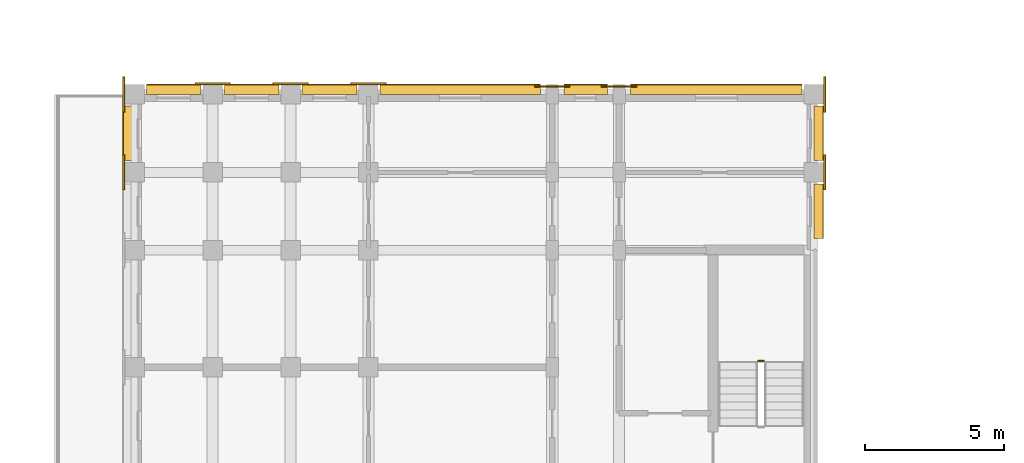
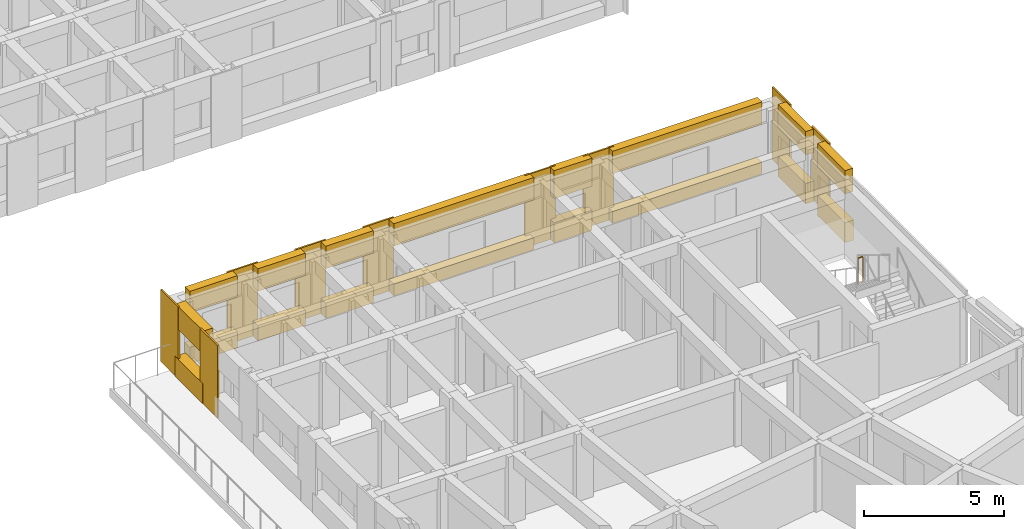
# One storey, part 44 of 57: 27 coverings, 1 railing.
"""IFC4 building model written with IfcOpenShell, lengths in metres."""

from ifc_helpers import new_model, si_unit, direction, frame, origin, origin_2d, place, context, subcontext, project, spatial, polyline, circle, outline, extrude, material, layer, layer_set, type_object, element, save


model = new_model("IFC4")

# Units and contexts
model_context = context("Model", 3, precision=1e-05, world=origin(), true_north=direction((0.0, 1.0)))
body_context = subcontext(model_context, "Body", "Model", "MODEL_VIEW")
ifc_project = project(units=[si_unit("LENGTHUNIT", "METRE"), si_unit("AREAUNIT", "SQUARE_METRE"), si_unit("VOLUMEUNIT", "CUBIC_METRE"), si_unit("PLANEANGLEUNIT", "RADIAN"), si_unit("MASSUNIT", "GRAM", prefix="KILO")], contexts=[model_context])

# Site, building, storey
site_placement = place(None, origin())
site = spatial("IfcSite", under=ifc_project, at=site_placement, CompositionType="ELEMENT")
building_placement = place(site_placement, origin())
building = spatial("IfcBuilding", under=site, at=building_placement, Name="Kiranvali Square Residences", CompositionType="ELEMENT")
storey_placement = place(building_placement, frame((0.0, 0.0, 21.300048828125)))
storey = spatial("IfcBuildingStorey", under=building, at=storey_placement, Name="L06", CompositionType="ELEMENT", Elevation=21.300048828125)

# Coverings
ifc_material_1 = material(Name="Honed Porbandar limestone ashlar facade cladding", Category="masonry")
ifc_layer_1 = layer(ifc_material_1, 0.06494140625)
ifc_layer_set_1 = layer_set([ifc_layer_1], Name="Honed Porbandar limestone ashlar facade cladding")
covering_type_1 = type_object("IfcCoveringType", Name="COV-CLAD-PIER", PredefinedType="CLADDING", material=ifc_layer_set_1)
covering_1_placement = place(storey_placement, frame((0.0, 0.0, 0.0048828125)))
element("IfcCovering", 1, at=covering_1_placement, inside=storey, type_object=covering_type_1, Name="L06 Classical limestone pilaster casing CLAD-PR-C-L06-V112", PredefinedType="CLADDING", context=body_context, shape_type="SweptSolid", body=[
    extrude(outline(polyline([(4.6494140625, 58.77001953125), (4.6494140625, 60.030029296875), (4.58203125, 60.030029296875), (4.58203125, 58.77001953125), (4.6494140625, 58.77001953125)])), origin(), (0.0, 0.0, 1.0), 3.14013671875),
])
covering_2_placement = place(storey_placement, frame((0.0, 0.0, 0.0048828125)))
element("IfcCovering", 2, at=covering_2_placement, inside=storey, type_object=covering_type_1, Name="L06 Classical limestone pilaster casing CLAD-PR-C-L06-V140", PredefinedType="CLADDING", context=body_context, shape_type="SweptSolid", body=[
    extrude(outline(polyline([(4.6494140625, 61.570068359375), (4.6494140625, 62.830078125), (4.58203125, 62.830078125), (4.58203125, 61.570068359375), (4.6494140625, 61.570068359375)])), origin(), (0.0, 0.0, 1.0), 3.14013671875),
])
ifc_layer_2 = layer(ifc_material_1, 0.050048828125)
ifc_layer_set_2 = layer_set([ifc_layer_2], Name="Honed Porbandar limestone ashlar facade cladding")
covering_type_2 = type_object("IfcCoveringType", Name="COV-CLAD-PIER-IN", PredefinedType="CLADDING", material=ifc_layer_set_2)
covering_3_placement = place(storey_placement, frame((0.0, 0.0, 0.0048828125)))
element("IfcCovering", 3, at=covering_3_placement, inside=storey, type_object=covering_type_2, Name="L06 Classical limestone pilaster casing CLAD-PRA2I-C-L06-V112", PredefinedType="CLADDING", context=body_context, shape_type="SweptSolid", body=[
    extrude(outline(polyline([(29.818115234375, 58.77001953125), (29.818115234375, 60.030029296875), (29.75048828125, 60.030029296875), (29.75048828125, 58.77001953125), (29.818115234375, 58.77001953125)])), origin(), (0.0, 0.0, 1.0), 3.14013671875),
])
covering_4_placement = place(storey_placement, frame((0.0, 0.0, 0.0048828125)))
element("IfcCovering", 4, at=covering_4_placement, inside=storey, type_object=covering_type_2, Name="L06 Classical limestone pilaster casing CLAD-PRA2I-C-L06-V140", PredefinedType="CLADDING", context=body_context, shape_type="SweptSolid", body=[
    extrude(outline(polyline([(29.818115234375, 61.570068359375), (29.818115234375, 62.830078125), (29.75048828125, 62.830078125), (29.75048828125, 61.570068359375), (29.818115234375, 61.570068359375)])), origin(), (0.0, 0.0, 1.0), 3.14013671875),
])
ifc_layer_3 = layer(ifc_material_1, 0.054931640625)
ifc_layer_set_3 = layer_set([ifc_layer_3], Name="Honed Porbandar limestone ashlar facade cladding")
covering_type_3 = type_object("IfcCoveringType", Name="COV-CLAD-PIER-UP", PredefinedType="CLADDING", material=ifc_layer_set_3)
covering_5_placement = place(storey_placement, frame((0.0, 0.0, 0.0048828125)))
element("IfcCovering", 5, at=covering_5_placement, inside=storey, type_object=covering_type_3, Name="L06 Classical limestone pilaster casing CLAD-PRA2E-C-L06-R258", PredefinedType="CLADDING", context=body_context, shape_type="SweptSolid", body=[
    extrude(outline(polyline([(23.030029296875, 62.51806640625), (21.77001953125, 62.51806640625), (21.77001953125, 62.450439453125), (23.030029296875, 62.450439453125), (23.030029296875, 62.51806640625)])), origin(), (0.0, 0.0, 1.0), 3.14013671875),
])
covering_6_placement = place(storey_placement, frame((0.0, 0.0, 0.0048828125)))
element("IfcCovering", 6, at=covering_6_placement, inside=storey, type_object=covering_type_3, Name="L06 Classical limestone pilaster casing CLAD-PRA2E-C-L06-R282", PredefinedType="CLADDING", context=body_context, shape_type="SweptSolid", body=[
    extrude(outline(polyline([(20.6298828125, 62.51806640625), (19.3701171875, 62.51806640625), (19.3701171875, 62.450439453125), (20.6298828125, 62.450439453125), (20.6298828125, 62.51806640625)])), origin(), (0.0, 0.0, 1.0), 3.14013671875),
])
covering_7_placement = place(storey_placement, frame((0.0, 0.0, 0.0048828125)))
element("IfcCovering", 7, at=covering_7_placement, inside=storey, type_object=covering_type_3, Name="L06 Classical limestone pilaster casing CLAD-PRA2E-C-L06-R348", PredefinedType="CLADDING", context=body_context, shape_type="SweptSolid", body=[
    extrude(outline(polyline([(14.030029296875, 62.617919921875), (12.77001953125, 62.617919921875), (12.77001953125, 62.550537109375), (14.030029296875, 62.550537109375), (14.030029296875, 62.617919921875)])), origin(), (0.0, 0.0, 1.0), 3.14013671875),
])
covering_8_placement = place(storey_placement, frame((0.0, 0.0, 0.0048828125)))
element("IfcCovering", 8, at=covering_8_placement, inside=storey, type_object=covering_type_3, Name="L06 Classical limestone pilaster casing CLAD-PRA2E-C-L06-R376", PredefinedType="CLADDING", context=body_context, shape_type="SweptSolid", body=[
    extrude(outline(polyline([(11.22998046875, 62.617919921875), (9.969970703125, 62.617919921875), (9.969970703125, 62.550537109375), (11.22998046875, 62.550537109375), (11.22998046875, 62.617919921875)])), origin(), (0.0, 0.0, 1.0), 3.14013671875),
])
covering_9_placement = place(storey_placement, frame((0.0, 0.0, 0.0048828125)))
element("IfcCovering", 9, at=covering_9_placement, inside=storey, type_object=covering_type_3, Name="L06 Classical limestone pilaster casing CLAD-PRA2E-C-L06-R404", PredefinedType="CLADDING", context=body_context, shape_type="SweptSolid", body=[
    extrude(outline(polyline([(8.429931640625, 62.617919921875), (7.169921875, 62.617919921875), (7.169921875, 62.550537109375), (8.429931640625, 62.550537109375), (8.429931640625, 62.617919921875)])), origin(), (0.0, 0.0, 1.0), 3.14013671875),
])
ifc_layer_4 = layer(ifc_material_1, 0.360107421875)
ifc_layer_set_4 = layer_set([ifc_layer_4], Name="Honed Porbandar limestone ashlar facade cladding")
covering_type_4 = type_object("IfcCoveringType", Name="COV-CLAD-WALL", PredefinedType="CLADDING", material=ifc_layer_set_4)
covering_10_placement = place(storey_placement, frame((0.0, 0.0, 2.1298828125)))
element("IfcCovering", 10, at=covering_10_placement, inside=storey, type_object=covering_type_4, Name="L06 light limestone spandrel lintel C-L06-A2O-3", PredefinedType="CLADDING", context=body_context, shape_type="SweptSolid", body=[
    extrude(outline(polyline([(4.99951171875, 59.820068359375), (4.99951171875, 61.780029296875), (4.60009765625, 61.780029296875), (4.60009765625, 59.820068359375), (4.99951171875, 59.820068359375)])), origin(), (0.0, 0.0, 1.0), 1.01513671875),
])
covering_11_placement = place(storey_placement, frame((0.0, 0.0, 0.0048828125)))
element("IfcCovering", 11, at=covering_11_placement, inside=storey, type_object=covering_type_4, Name="L06 limestone window sill apron C-L06-A2O-3", PredefinedType="CLADDING", context=body_context, shape_type="SweptSolid", body=[
    extrude(outline(polyline([(4.99951171875, 59.820068359375), (4.99951171875, 61.780029296875), (4.570068359375, 61.780029296875), (4.570068359375, 59.820068359375), (4.99951171875, 59.820068359375)])), origin(), (0.0, 0.0, 1.0), 0.875),
])
covering_12_placement = place(storey_placement, frame((0.0, 0.0, 2.1298828125)))
element("IfcCovering", 12, at=covering_12_placement, inside=storey, type_object=covering_type_4, Name="L06 light limestone spandrel lintel C-L06-A2I-0", PredefinedType="CLADDING", context=body_context, shape_type="SweptSolid", body=[
    extrude(outline(polyline([(29.719970703125, 57.02001953125), (29.719970703125, 58.97998046875), (29.400390625, 58.97998046875), (29.400390625, 57.02001953125), (29.719970703125, 57.02001953125)])), origin(), (0.0, 0.0, 1.0), 1.01513671875),
])
covering_13_placement = place(storey_placement, frame((0.0, 0.0, 0.0048828125)))
element("IfcCovering", 13, at=covering_13_placement, inside=storey, type_object=covering_type_4, Name="L06 limestone window sill apron C-L06-A2I-0", PredefinedType="CLADDING", context=body_context, shape_type="SweptSolid", body=[
    extrude(outline(polyline([(29.75, 57.02001953125), (29.75, 58.97998046875), (29.400390625, 58.97998046875), (29.400390625, 57.02001953125), (29.75, 57.02001953125)])), origin(), (0.0, 0.0, 1.0), 0.875),
])
covering_14_placement = place(storey_placement, frame((0.0, 0.0, 2.1298828125)))
element("IfcCovering", 14, at=covering_14_placement, inside=storey, type_object=covering_type_4, Name="L06 light limestone spandrel lintel C-L06-A2I-1", PredefinedType="CLADDING", context=body_context, shape_type="SweptSolid", body=[
    extrude(outline(polyline([(29.719970703125, 59.820068359375), (29.719970703125, 61.780029296875), (29.400390625, 61.780029296875), (29.400390625, 59.820068359375), (29.719970703125, 59.820068359375)])), origin(), (0.0, 0.0, 1.0), 1.01513671875),
])
covering_15_placement = place(storey_placement, frame((0.0, 0.0, 0.0048828125)))
element("IfcCovering", 15, at=covering_15_placement, inside=storey, type_object=covering_type_4, Name="L06 limestone window sill apron C-L06-A2I-1", PredefinedType="CLADDING", context=body_context, shape_type="SweptSolid", body=[
    extrude(outline(polyline([(29.75, 59.820068359375), (29.75, 61.780029296875), (29.400390625, 61.780029296875), (29.400390625, 59.820068359375), (29.75, 59.820068359375)])), origin(), (0.0, 0.0, 1.0), 0.875),
])
covering_16_placement = place(storey_placement, frame((0.0, 0.0, 2.171875)))
element("IfcCovering", 16, at=covering_16_placement, inside=storey, type_object=covering_type_4, Name="L06 light limestone spandrel lintel C-L06-A2END-0", PredefinedType="CLADDING", context=body_context, shape_type="SweptSolid", body=[
    extrude(outline(polyline([(28.97998046875, 62.5400390625), (22.820068359375, 62.5400390625), (22.820068359375, 62.200439453125), (28.97998046875, 62.200439453125), (28.97998046875, 62.5400390625)])), origin(), (0.0, 0.0, 1.0), 0.97314453125),
])
covering_17_placement = place(storey_placement, frame((0.0, 0.0, 0.0048828125)))
element("IfcCovering", 17, at=covering_17_placement, inside=storey, type_object=covering_type_4, Name="L06 limestone window sill apron C-L06-A2END-0", PredefinedType="CLADDING", context=body_context, shape_type="SweptSolid", body=[
    extrude(outline(polyline([(28.97998046875, 62.570068359375), (22.820068359375, 62.570068359375), (22.820068359375, 62.200439453125), (28.97998046875, 62.200439453125), (28.97998046875, 62.570068359375)])), origin(), (0.0, 0.0, 1.0), 0.51708984375),
])
covering_18_placement = place(storey_placement, frame((0.0, 0.0, 1.929931640625)))
element("IfcCovering", 18, at=covering_18_placement, inside=storey, type_object=covering_type_4, Name="L06 light limestone spandrel lintel C-L06-A2END-1", PredefinedType="CLADDING", context=body_context, shape_type="SweptSolid", body=[
    extrude(outline(polyline([(21.97998046875, 62.5400390625), (20.419921875, 62.5400390625), (20.419921875, 62.200439453125), (21.97998046875, 62.200439453125), (21.97998046875, 62.5400390625)])), origin(), (0.0, 0.0, 1.0), 1.215087890625),
])
covering_19_placement = place(storey_placement, frame((0.0, 0.0, 0.0048828125)))
element("IfcCovering", 19, at=covering_19_placement, inside=storey, type_object=covering_type_4, Name="L06 limestone window sill apron C-L06-A2END-1", PredefinedType="CLADDING", context=body_context, shape_type="SweptSolid", body=[
    extrude(outline(polyline([(21.97998046875, 62.570068359375), (20.419921875, 62.570068359375), (20.419921875, 62.200439453125), (21.97998046875, 62.200439453125), (21.97998046875, 62.570068359375)])), origin(), (0.0, 0.0, 1.0), 0.875),
])
covering_20_placement = place(storey_placement, frame((0.0, 0.0, 2.171875)))
element("IfcCovering", 20, at=covering_20_placement, inside=storey, type_object=covering_type_4, Name="L06 light limestone spandrel lintel C-L06-A2END-2", PredefinedType="CLADDING", context=body_context, shape_type="SweptSolid", body=[
    extrude(outline(polyline([(19.580078125, 62.5400390625), (13.820068359375, 62.5400390625), (13.820068359375, 62.200439453125), (19.580078125, 62.200439453125), (19.580078125, 62.5400390625)])), origin(), (0.0, 0.0, 1.0), 0.97314453125),
])
covering_21_placement = place(storey_placement, frame((0.0, 0.0, 0.0048828125)))
element("IfcCovering", 21, at=covering_21_placement, inside=storey, type_object=covering_type_4, Name="L06 limestone window sill apron C-L06-A2END-2", PredefinedType="CLADDING", context=body_context, shape_type="SweptSolid", body=[
    extrude(outline(polyline([(19.580078125, 62.570068359375), (13.820068359375, 62.570068359375), (13.820068359375, 62.200439453125), (19.580078125, 62.200439453125), (19.580078125, 62.570068359375)])), origin(), (0.0, 0.0, 1.0), 0.51708984375),
])
covering_22_placement = place(storey_placement, frame((0.0, 0.0, 2.171875)))
element("IfcCovering", 22, at=covering_22_placement, inside=storey, type_object=covering_type_4, Name="L06 light limestone spandrel lintel C-L06-A2END-3", PredefinedType="CLADDING", context=body_context, shape_type="SweptSolid", body=[
    extrude(outline(polyline([(12.97998046875, 62.5400390625), (11.02001953125, 62.5400390625), (11.02001953125, 62.200439453125), (12.97998046875, 62.200439453125), (12.97998046875, 62.5400390625)])), origin(), (0.0, 0.0, 1.0), 0.97314453125),
])
covering_23_placement = place(storey_placement, frame((0.0, 0.0, 0.0048828125)))
element("IfcCovering", 23, at=covering_23_placement, inside=storey, type_object=covering_type_4, Name="L06 limestone window sill apron C-L06-A2END-3", PredefinedType="CLADDING", context=body_context, shape_type="SweptSolid", body=[
    extrude(outline(polyline([(12.97998046875, 62.570068359375), (11.02001953125, 62.570068359375), (11.02001953125, 62.200439453125), (12.97998046875, 62.200439453125), (12.97998046875, 62.570068359375)])), origin(), (0.0, 0.0, 1.0), 0.6669921875),
])
covering_24_placement = place(storey_placement, frame((0.0, 0.0, 2.171875)))
element("IfcCovering", 24, at=covering_24_placement, inside=storey, type_object=covering_type_4, Name="L06 light limestone spandrel lintel C-L06-A2END-4", PredefinedType="CLADDING", context=body_context, shape_type="SweptSolid", body=[
    extrude(outline(polyline([(10.179931640625, 62.5400390625), (8.219970703125, 62.5400390625), (8.219970703125, 62.200439453125), (10.179931640625, 62.200439453125), (10.179931640625, 62.5400390625)])), origin(), (0.0, 0.0, 1.0), 0.97314453125),
])
covering_25_placement = place(storey_placement, frame((0.0, 0.0, 0.0048828125)))
element("IfcCovering", 25, at=covering_25_placement, inside=storey, type_object=covering_type_4, Name="L06 limestone window sill apron C-L06-A2END-4", PredefinedType="CLADDING", context=body_context, shape_type="SweptSolid", body=[
    extrude(outline(polyline([(10.179931640625, 62.570068359375), (8.219970703125, 62.570068359375), (8.219970703125, 62.200439453125), (10.179931640625, 62.200439453125), (10.179931640625, 62.570068359375)])), origin(), (0.0, 0.0, 1.0), 0.6669921875),
])
covering_26_placement = place(storey_placement, frame((0.0, 0.0, 2.2119140625)))
element("IfcCovering", 26, at=covering_26_placement, inside=storey, type_object=covering_type_4, Name="L06 light limestone spandrel lintel C-L06-A2END-5", PredefinedType="CLADDING", context=body_context, shape_type="SweptSolid", body=[
    extrude(outline(polyline([(7.3798828125, 62.5400390625), (5.419921875, 62.5400390625), (5.419921875, 62.200439453125), (7.3798828125, 62.200439453125), (7.3798828125, 62.5400390625)])), origin(), (0.0, 0.0, 1.0), 0.93310546875),
])
covering_27_placement = place(storey_placement, frame((0.0, 0.0, 0.0048828125)))
element("IfcCovering", 27, at=covering_27_placement, inside=storey, type_object=covering_type_4, Name="L06 limestone window sill apron C-L06-A2END-5", PredefinedType="CLADDING", context=body_context, shape_type="SweptSolid", body=[
    extrude(outline(polyline([(7.3798828125, 62.570068359375), (5.419921875, 62.570068359375), (5.419921875, 62.200439453125), (7.3798828125, 62.200439453125), (7.3798828125, 62.570068359375)])), origin(), (0.0, 0.0, 1.0), 0.70703125),
])

# Railing
ifc_material_2 = material(Name="Powder-coated architectural bronze balustrade", Category="steel")
railing_type = type_object("IfcRailingType", Name="RL-ST-GUARD-1200", PredefinedType="GUARDRAIL", material=ifc_material_2)
railing_placement = place(storey_placement, frame((27.60009765625, 52.6298828125, 1.574951171875)))
element("IfcRailing", 28, at=railing_placement, inside=storey, type_object=railing_type, Name="L06 ST-C3 stair guard 2", PredefinedType="GUARDRAIL", context=body_context, shape_type="SweptSolid", body=[
    extrude(circle(Radius=0.02392578125, at=origin_2d()), frame((0.0, 0.0, 1.1259765625), z_axis=(-1.0, 0.0, 0.0), x_axis=(0.0, -1.0, 0.0)), (0.0, 0.0, 1.0), 0.2001953125),
    extrude(circle(Radius=0.02099609375, at=origin_2d()), origin(), (0.0, 0.0, 1.0), 1.101806640625),
    extrude(circle(Radius=0.02099609375, at=origin_2d()), frame((-0.2001953125, 0.0, 0.0)), (0.0, 0.0, 1.0), 1.101806640625),
])

save(model, "model.ifc")
